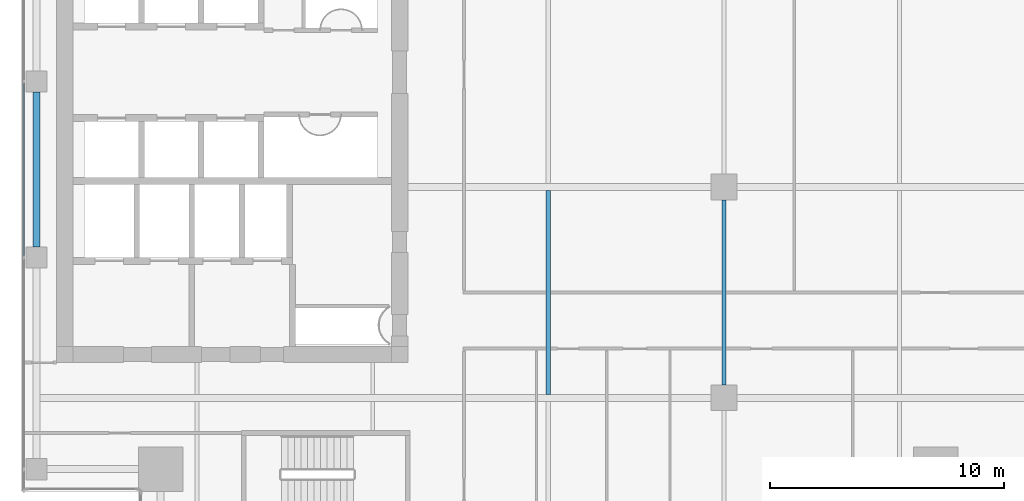
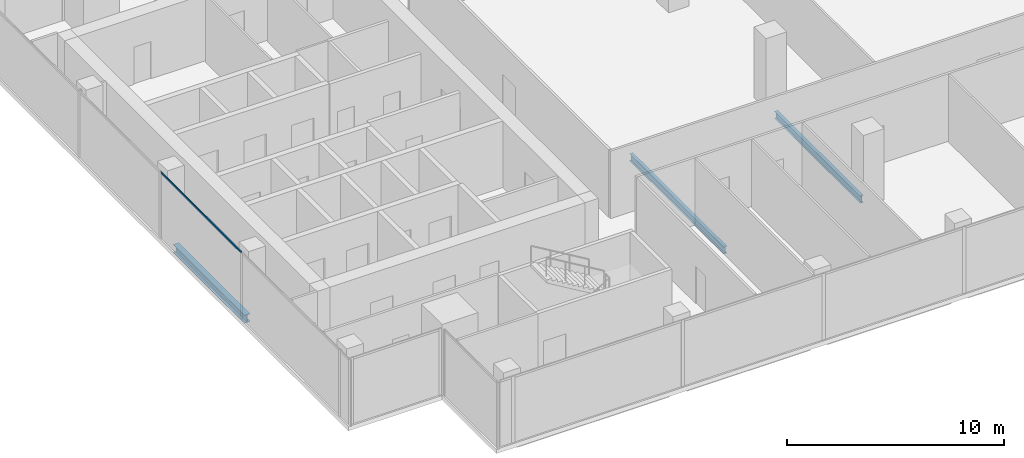
# One storey, part 7 of 35: 3 beams, 1 member, 1 element without a shape of its own.
"""IFC4 building model written with IfcOpenShell, lengths in metres."""

from ifc_helpers import new_model, si_unit, direction, frame, origin, origin_2d, place, context, subcontext, project, spatial, hollow_rectangle, i_section, extrude, source, transform, mapped, material, material_profile, profile_set, type_object, element, aggregate, save


model = new_model("IFC4")

# Units and contexts
model_context = context("Model", 3, precision=1e-05, world=origin(), true_north=direction((0.0, 1.0)))
body_context = subcontext(model_context, "Body", "Model", "MODEL_VIEW")
ifc_project = project(units=[si_unit("LENGTHUNIT", "METRE"), si_unit("AREAUNIT", "SQUARE_METRE"), si_unit("VOLUMEUNIT", "CUBIC_METRE"), si_unit("PLANEANGLEUNIT", "RADIAN"), si_unit("MASSUNIT", "GRAM", prefix="KILO")], contexts=[model_context])

# Site, building, storey
site_placement = place(None, origin())
site = spatial("IfcSite", under=ifc_project, at=site_placement, CompositionType="ELEMENT")
building_placement = place(site_placement, origin())
building = spatial("IfcBuilding", under=site, at=building_placement, Name="Khomas Fold Tower", CompositionType="ELEMENT")
storey_placement = place(building_placement, frame((0.0, 0.0, 270.199951171875)))
storey = spatial("IfcBuildingStorey", under=building, at=storey_placement, Name="L61", CompositionType="ELEMENT", Elevation=270.199951171875)

# Beams
ifc_material_1 = material(Name="Steel S355", Category="steel")
ifc_material_profile_1 = material_profile(ifc_material_1, i_section(OverallWidth=0.179931640625, OverallDepth=0.39990234375, WebThickness=0.008544921875, FlangeThickness=0.013427734375, at=origin_2d()), Name="IPE 400")
ifc_profile_set_1 = profile_set([ifc_material_profile_1], Name="Steel S355")
beam_type_1 = type_object("IfcBeamType", Name="IPE 400 beam JB3", PredefinedType="BEAM", material=ifc_profile_set_1)
shared_shape_1 = source(origin(), body_context, "Body", "SweptSolid", [
    extrude(i_section(OverallWidth=0.179931640625, OverallDepth=0.39990234375, WebThickness=0.008544921875, FlangeThickness=0.013427734375, at=origin_2d()), origin(), (0.0, 0.0, 1.0), 8.7001953125),
])
beam_1_placement = place(storey_placement, frame((27.0, 13.64990234375, -0.449951171875), z_axis=(0.0, 1.0, 0.0), x_axis=(-1.0, 0.0, 0.0)))
element("IfcBeam", 1, at=beam_1_placement, inside=storey, type_object=beam_type_1, Name="JB3", PredefinedType="BEAM", context=body_context, shape_type="MappedRepresentation", body=[
    mapped(shared_shape_1, transform((0.0, 0.0, 0.0))),
])
ifc_material_2 = material(Name="Steel S355", Category="steel")
ifc_material_profile_2 = material_profile(ifc_material_2, i_section(OverallWidth=0.300048828125, OverallDepth=0.449951171875, WebThickness=0.013916015625, FlangeThickness=0.02587890625, at=origin_2d()), Name="HE 450 B")
ifc_profile_set_2 = profile_set([ifc_material_profile_2], Name="Steel S355")
beam_type_2 = type_object("IfcBeamType", Name="HE 450 B spandrel SB4", PredefinedType="SPANDREL", material=ifc_profile_set_2)
shared_shape_2 = source(origin(), body_context, "Body", "SweptSolid", [
    extrude(i_section(OverallWidth=0.300048828125, OverallDepth=0.449951171875, WebThickness=0.013916015625, FlangeThickness=0.02587890625, at=origin_2d()), origin(), (0.0, 0.0, 1.0), 6.60009765625),
])
beam_2_placement = place(storey_placement, frame((5.14990234375, 19.949951171875, -0.474853515625), z_axis=(0.0, 1.0, 0.0), x_axis=(-1.0, 0.0, 0.0)))
element("IfcBeam", 2, at=beam_2_placement, inside=storey, type_object=beam_type_2, Name="SB4", PredefinedType="SPANDREL", context=body_context, shape_type="MappedRepresentation", body=[
    mapped(shared_shape_2, transform((0.0, 0.0, 0.0))),
])
shared_shape_3 = source(origin(), body_context, "Body", "SweptSolid", [
    extrude(i_section(OverallWidth=0.179931640625, OverallDepth=0.39990234375, WebThickness=0.008544921875, FlangeThickness=0.013427734375, at=origin_2d()), origin(), (0.0, 0.0, 1.0), 7.89990234375),
])
beam_3_placement = place(storey_placement, frame((34.5, 14.050048828125, -0.449951171875), z_axis=(0.0, 1.0, 0.0), x_axis=(-1.0, 0.0, 0.0)))
element("IfcBeam", 3, at=beam_3_placement, inside=storey, type_object=beam_type_1, Name="JB3", PredefinedType="BEAM", context=body_context, shape_type="MappedRepresentation", body=[
    mapped(shared_shape_3, transform((0.0, 0.0, 0.0))),
])

# Curtain wall, member
ifc_material_3 = material(Name="Aluminium framed double glazing", Category="aluminium")
curtain_wall_type = type_object("IfcCurtainWallType", Name="SK-Unitised clear-glass wall, office floors CW2", PredefinedType="NOTDEFINED", material=ifc_material_3)
curtain_wall_placement = place(storey_placement, origin())
curtain_wall = element("IfcCurtainWall", 4, at=curtain_wall_placement, inside=storey, type_object=curtain_wall_type, Name="CW2 run L61 09-0", PredefinedType="NOTDEFINED")
ifc_material_4 = material(Name="Aluminium", Category="aluminium")
ifc_material_profile_3 = material_profile(ifc_material_4, hollow_rectangle(XDim=0.050048828125, YDim=0.110107421875, WallThickness=0.00390625, at=origin_2d()), Name="SK-Unitised clear-glass wall, office floors transom CW2-T")
ifc_profile_set_3 = profile_set([ifc_material_profile_3], Name="Aluminium")
member_type = type_object("IfcMemberType", Name="SK-Unitised clear-glass wall, office floors transom CW2-T", PredefinedType="USERDEFINED", material=ifc_profile_set_3)
shared_shape_4 = source(origin(), body_context, "Body", "SweptSolid", [
    extrude(hollow_rectangle(XDim=0.050048828125, YDim=0.110107421875, WallThickness=0.00390625, at=origin_2d()), origin(), (0.0, 0.0, 1.0), 7.43994140625),
])
member_placement = place(storey_placement, frame((4.60009765625, 26.969970703125, 3.695068359375), z_axis=(0.0, -1.0, 0.0), x_axis=(1.0, 0.0, 0.0)))
member = element("IfcMember", 5, at=member_placement, type_object=member_type, Name="CW2 transom 4", ObjectType="TRANSOM", PredefinedType="USERDEFINED", context=body_context, shape_type="MappedRepresentation", body=[
    mapped(shared_shape_4, transform((0.0, 0.0, 0.0))),
])
aggregate(curtain_wall, [member])

save(model, "model.ifc")
